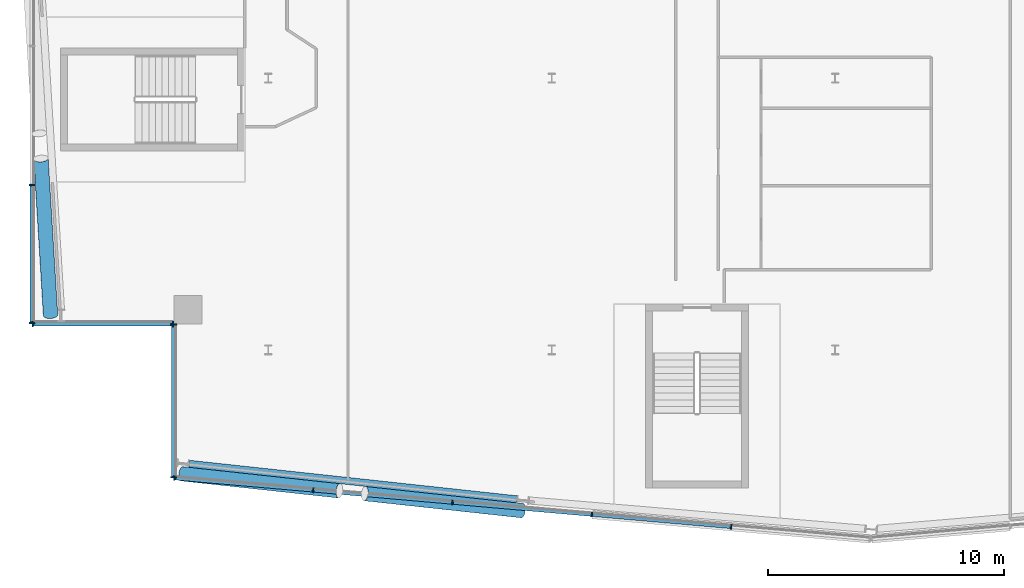
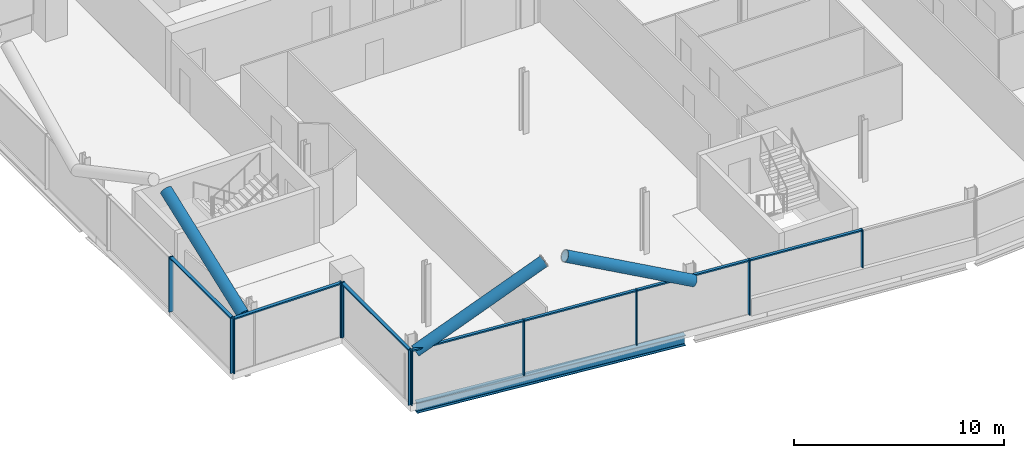
# One storey, part 5 of 25: 21 members, 1 beam, 4 elements without a shape of their own.
"""IFC4 building model written with IfcOpenShell, lengths in metres."""

from ifc_helpers import new_model, si_unit, direction, frame, origin, origin_2d, place, context, subcontext, project, spatial, rectangle, hollow_circle, i_section, extrude, material, material_profile, profile_set, type_object, element, aggregate, save


model = new_model("IFC4")

# Units and contexts
model_context = context("Model", 3, precision=1e-05, world=origin(), true_north=direction((0.0, 1.0)))
body_context = subcontext(model_context, "Body", "Model", "MODEL_VIEW")
ifc_project = project(units=[si_unit("LENGTHUNIT", "METRE"), si_unit("AREAUNIT", "SQUARE_METRE"), si_unit("VOLUMEUNIT", "CUBIC_METRE"), si_unit("PLANEANGLEUNIT", "RADIAN"), si_unit("MASSUNIT", "GRAM", prefix="KILO")], contexts=[model_context])

# Site, building, storey
site_placement = place(None, origin())
site = spatial("IfcSite", under=ifc_project, at=site_placement, CompositionType="ELEMENT")
building_placement = place(site_placement, origin())
building = spatial("IfcBuilding", under=site, at=building_placement, Name="Wharfspan Tower", CompositionType="ELEMENT")
storey_placement = place(building_placement, frame((0.0, 0.0, 239.5)))
storey = spatial("IfcBuildingStorey", under=building, at=storey_placement, Name="L60", CompositionType="ELEMENT", Elevation=239.5)

# Beam
ifc_material_1 = material(Name="Steel S355J2", Category="steel")
ifc_material_profile_1 = material_profile(ifc_material_1, i_section(OverallWidth=0.300049, OverallDepth=0.600098, WebThickness=0.015381, FlangeThickness=0.030029, FilletRadius=0.0271, at=origin_2d()))
ifc_profile_set_1 = profile_set([ifc_material_profile_1], Name="Steel S355J2")
beam_type = type_object("IfcBeamType", Name="Edge beam HEB 600", PredefinedType="SPANDREL", material=ifc_profile_set_1)
beam_placement = place(storey_placement, frame((20.648682, 6.674805, -0.699951), z_axis=(0.99418, -0.107732, 0.0), x_axis=(0.107732, 0.99418, 0.0)))
element("IfcBeam", 1, at=beam_placement, inside=storey, type_object=beam_type, Name="Edge beam S1 L60 PS1.1 to PS1.2", PredefinedType="SPANDREL", context=body_context, shape_type="SweptSolid", body=[
    extrude(i_section(OverallWidth=0.300049, OverallDepth=0.600098, WebThickness=0.015381, FlangeThickness=0.030029, FilletRadius=0.0271, at=origin_2d()), origin(), (0.0, 0.0, 1.0), 13.95752),
])

# Curtain wall, members
ifc_material_2 = material(Name="Aluminium 6063-T6", Category="aluminium")
curtain_wall_type_1 = type_object("IfcCurtainWallType", Name="CURTAIN WALL FACETED FRONT", PredefinedType="NOTDEFINED", material=ifc_material_2)
curtain_wall_1_placement = place(storey_placement, origin())
curtain_wall_1 = element("IfcCurtainWall", 2, at=curtain_wall_1_placement, inside=storey, type_object=curtain_wall_type_1, Name="Curtain wall S1", PredefinedType="NOTDEFINED")
ifc_material_profile_2 = material_profile(ifc_material_2, rectangle(XDim=0.199951, YDim=0.060059, at=origin_2d()))
ifc_profile_set_2 = profile_set([ifc_material_profile_2], Name="Aluminium 6063-T6")
member_type_1 = type_object("IfcMemberType", Name="MULLION FACETED FRONT 60x200", PredefinedType="MULLION", material=ifc_profile_set_2)
member_1_placement = place(storey_placement, frame((20.029785, 6.07251, 0.0), z_axis=(0.0, 0.0, 1.0), x_axis=(0.087156, 0.996197, 0.0)))
member_1 = element("IfcMember", 3, at=member_1_placement, type_object=member_type_1, Name="Curtain wall S1 mullion 1", PredefinedType="MULLION", context=body_context, shape_type="SweptSolid", body=[
    extrude(rectangle(XDim=0.199951, YDim=0.060059, at=origin_2d()), origin(), (0.0, 0.0, 1.0), 3.199951),
])
member_2_placement = place(storey_placement, frame((25.899902, 5.558838, 0.0), z_axis=(0.0, 0.0, 1.0), x_axis=(0.087156, 0.996197, 0.0)))
member_2 = element("IfcMember", 4, at=member_2_placement, type_object=member_type_1, Name="Curtain wall S1 mullion 2", PredefinedType="MULLION", context=body_context, shape_type="SweptSolid", body=[
    extrude(rectangle(XDim=0.199951, YDim=0.060059, at=origin_2d()), origin(), (0.0, 0.0, 1.0), 3.199951),
])
member_3_placement = place(storey_placement, frame((31.800049, 5.042725, 0.0), z_axis=(0.0, 0.0, 1.0), x_axis=(0.087156, 0.996197, 0.0)))
member_3 = element("IfcMember", 5, at=member_3_placement, type_object=member_type_1, Name="Curtain wall S1 mullion 3", PredefinedType="MULLION", context=body_context, shape_type="SweptSolid", body=[
    extrude(rectangle(XDim=0.199951, YDim=0.060059, at=origin_2d()), origin(), (0.0, 0.0, 1.0), 3.199951),
])
member_4_placement = place(storey_placement, frame((37.699951, 4.526611, 0.0), z_axis=(0.0, 0.0, 1.0), x_axis=(0.087156, 0.996197, 0.0)))
member_4 = element("IfcMember", 6, at=member_4_placement, type_object=member_type_1, Name="Curtain wall S1 mullion 4", PredefinedType="MULLION", context=body_context, shape_type="SweptSolid", body=[
    extrude(rectangle(XDim=0.199951, YDim=0.060059, at=origin_2d()), origin(), (0.0, 0.0, 1.0), 3.199951),
])
member_5_placement = place(storey_placement, frame((43.600098, 4.010254, 1.0), z_axis=(0.0, 0.0, 1.0), x_axis=(0.087156, 0.996197, 0.0)))
member_5 = element("IfcMember", 7, at=member_5_placement, type_object=member_type_1, Name="Curtain wall S1 mullion 5", PredefinedType="MULLION", context=body_context, shape_type="SweptSolid", body=[
    extrude(rectangle(XDim=0.199951, YDim=0.060059, at=origin_2d()), origin(), (0.0, 0.0, 1.0), 2.199951),
])

curtain_wall_type_2 = type_object("IfcCurtainWallType", Name="CURTAIN WALL PROW AND END", PredefinedType="NOTDEFINED", material=ifc_material_2)
curtain_wall_2_placement = place(storey_placement, origin())
curtain_wall_2 = element("IfcCurtainWall", 8, at=curtain_wall_2_placement, inside=storey, type_object=curtain_wall_type_2, Name="Curtain wall W", PredefinedType="NOTDEFINED")
ifc_material_profile_3 = material_profile(ifc_material_2, rectangle(XDim=0.23999, YDim=0.060059, at=origin_2d()))
ifc_profile_set_3 = profile_set([ifc_material_profile_3], Name="Aluminium 6063-T6")
member_type_2 = type_object("IfcMemberType", Name="MULLION PROW AND END 60x240", PredefinedType="MULLION", material=ifc_profile_set_3)
member_6_placement = place(storey_placement, frame((14.0, 18.47998, 0.0), z_axis=(0.0, 0.0, 1.0), x_axis=(1.0, 0.0, 0.0)))
member_6 = element("IfcMember", 9, at=member_6_placement, type_object=member_type_2, Name="Curtain wall W mullion 5", PredefinedType="MULLION", context=body_context, shape_type="SweptSolid", body=[
    extrude(rectangle(XDim=0.23999, YDim=0.060059, at=origin_2d()), origin(), (0.0, 0.0, 1.0), 3.199951),
])
member_7_placement = place(storey_placement, frame((14.0, 12.629883, 0.0), z_axis=(0.0, 0.0, 1.0), x_axis=(1.0, 0.0, 0.0)))
member_7 = element("IfcMember", 10, at=member_7_placement, type_object=member_type_2, Name="Curtain wall W mullion 6", PredefinedType="MULLION", context=body_context, shape_type="SweptSolid", body=[
    extrude(rectangle(XDim=0.23999, YDim=0.060059, at=origin_2d()), origin(), (0.0, 0.0, 1.0), 3.199951),
])

curtain_wall_3_placement = place(storey_placement, origin())
curtain_wall_3 = element("IfcCurtainWall", 11, at=curtain_wall_3_placement, inside=storey, type_object=curtain_wall_type_2, Name="Curtain wall NFW-H", PredefinedType="NOTDEFINED")
member_8_placement = place(storey_placement, frame((14.030029, 12.600098, 0.0), z_axis=(0.0, 0.0, 1.0), x_axis=(0.0, 1.0, 0.0)))
member_8 = element("IfcMember", 12, at=member_8_placement, type_object=member_type_2, Name="Curtain wall NFW-H mullion 1", PredefinedType="MULLION", context=body_context, shape_type="SweptSolid", body=[
    extrude(rectangle(XDim=0.23999, YDim=0.060059, at=origin_2d()), origin(), (0.0, 0.0, 1.0), 3.199951),
])
member_9_placement = place(storey_placement, frame((19.969971, 12.600098, 0.0), z_axis=(0.0, 0.0, 1.0), x_axis=(0.0, 1.0, 0.0)))
member_9 = element("IfcMember", 13, at=member_9_placement, type_object=member_type_2, Name="Curtain wall NFW-H mullion 2", PredefinedType="MULLION", context=body_context, shape_type="SweptSolid", body=[
    extrude(rectangle(XDim=0.23999, YDim=0.060059, at=origin_2d()), origin(), (0.0, 0.0, 1.0), 3.199951),
])

curtain_wall_4_placement = place(storey_placement, origin())
curtain_wall_4 = element("IfcCurtainWall", 14, at=curtain_wall_4_placement, inside=storey, type_object=curtain_wall_type_2, Name="Curtain wall NFW-V", PredefinedType="NOTDEFINED")
member_10_placement = place(storey_placement, frame((20.0, 12.570068, 0.0), z_axis=(0.0, 0.0, 1.0), x_axis=(1.0, 0.0, 0.0)))
member_10 = element("IfcMember", 15, at=member_10_placement, type_object=member_type_2, Name="Curtain wall NFW-V mullion 1", PredefinedType="MULLION", context=body_context, shape_type="SweptSolid", body=[
    extrude(rectangle(XDim=0.23999, YDim=0.060059, at=origin_2d()), origin(), (0.0, 0.0, 1.0), 3.199951),
])
member_11_placement = place(storey_placement, frame((20.0, 6.10498, 0.0), z_axis=(0.0, 0.0, 1.0), x_axis=(1.0, 0.0, 0.0)))
member_11 = element("IfcMember", 16, at=member_11_placement, type_object=member_type_2, Name="Curtain wall NFW-V mullion 2", PredefinedType="MULLION", context=body_context, shape_type="SweptSolid", body=[
    extrude(rectangle(XDim=0.23999, YDim=0.060059, at=origin_2d()), origin(), (0.0, 0.0, 1.0), 3.199951),
])

# Members
ifc_material_3 = material(Name="Steel S460NH", Category="steel")
ifc_material_profile_4 = material_profile(ifc_material_3, hollow_circle(Radius=0.304932, WallThickness=0.024902, at=origin_2d()))
ifc_profile_set_4 = profile_set([ifc_material_profile_4], Name="Steel S460NH")
member_type_3 = type_object("IfcMemberType", Name="Mega brace CHS 610x25", PredefinedType="BRACE", material=ifc_profile_set_4)
for number, where, z_axis, x_axis, name in (
    (17, (20.352539, 6.249268, 2.899902), (0.890113, -0.096459, 0.445416), (0.107734, 0.994176, 4e-06), "Mega brace S1 L61 part 1"),
    (18, (34.741699, 4.689941, 2.899902), (-0.890113, 0.096459, 0.445416), (-0.107734, -0.994176, 4e-06), "Mega brace S1 L61 part 3"),
):
    element("IfcMember", number, at=place(storey_placement, frame(where, z_axis=z_axis, x_axis=x_axis)), inside=storey, type_object=member_type_3, Name=name, PredefinedType="BRACE", context=body_context, shape_type="SweptSolid", body=[
        extrude(hollow_circle(Radius=0.304932, WallThickness=0.024902, at=origin_2d()), origin(), (0.0, 0.0, 1.0), 7.474121),
    ])
member_12_placement = place(storey_placement, frame((14.782715, 12.963379, 2.899902), z_axis=(-0.054615, 0.892302, 0.448123), x_axis=(-0.998132, -0.061091, -3e-06)))
element("IfcMember", 19, at=member_12_placement, inside=storey, type_object=member_type_3, Name="Mega brace W4 L61 part 3", PredefinedType="BRACE", context=body_context, shape_type="SweptSolid", body=[
    extrude(hollow_circle(Radius=0.304932, WallThickness=0.024902, at=origin_2d()), origin(), (0.0, 0.0, 1.0), 7.429443),
])

# Member
ifc_material_profile_5 = material_profile(ifc_material_2, rectangle(XDim=0.159912, YDim=0.080078, at=origin_2d()))
ifc_profile_set_5 = profile_set([ifc_material_profile_5], Name="Aluminium 6063-T6")
member_type_4 = type_object("IfcMemberType", Name="TRANSOM FACETED FRONT 80x160", PredefinedType="USERDEFINED", material=ifc_profile_set_5)
member_13_placement = place(storey_placement, frame((20.059814, 6.069824, 3.159912), z_axis=(0.996195, -0.08715, 0.0), x_axis=(0.08715, 0.996195, 0.0)))
member_13 = element("IfcMember", 20, at=member_13_placement, type_object=member_type_4, Name="Curtain wall S1 transom 1", ObjectType="TRANSOM", PredefinedType="USERDEFINED", context=body_context, shape_type="SweptSolid", body=[
    extrude(rectangle(XDim=0.159912, YDim=0.080078, at=origin_2d()), origin(), (0.0, 0.0, 1.0), 5.83252),
])

member_14_placement = place(storey_placement, frame((25.929932, 5.556152, 3.159912), z_axis=(0.996198, -0.087122, 0.0), x_axis=(0.087122, 0.996198, 0.0)))
member_14 = element("IfcMember", 21, at=member_14_placement, type_object=member_type_4, Name="Curtain wall S1 transom 2", ObjectType="TRANSOM", PredefinedType="USERDEFINED", context=body_context, shape_type="SweptSolid", body=[
    extrude(rectangle(XDim=0.159912, YDim=0.080078, at=origin_2d()), origin(), (0.0, 0.0, 1.0), 5.862305),
])

member_15_placement = place(storey_placement, frame((31.829834, 5.040039, 3.159912), z_axis=(0.996194, -0.08716, 0.0), x_axis=(0.08716, 0.996194, 0.0)))
member_15 = element("IfcMember", 22, at=member_15_placement, type_object=member_type_4, Name="Curtain wall S1 transom 3", ObjectType="TRANSOM", PredefinedType="USERDEFINED", context=body_context, shape_type="SweptSolid", body=[
    extrude(rectangle(XDim=0.159912, YDim=0.080078, at=origin_2d()), origin(), (0.0, 0.0, 1.0), 5.862549),
])

member_16_placement = place(storey_placement, frame((37.72998, 4.523926, 3.159912), z_axis=(0.996194, -0.087163, 0.0), x_axis=(0.087163, 0.996194, 0.0)))
member_16 = element("IfcMember", 23, at=member_16_placement, type_object=member_type_4, Name="Curtain wall S1 transom 4", ObjectType="TRANSOM", PredefinedType="USERDEFINED", context=body_context, shape_type="SweptSolid", body=[
    extrude(rectangle(XDim=0.159912, YDim=0.080078, at=origin_2d()), origin(), (0.0, 0.0, 1.0), 5.862305),
])

aggregate(curtain_wall_1, [member_1, member_2, member_3, member_4, member_5, member_13, member_14, member_15, member_16])

ifc_material_profile_6 = material_profile(ifc_material_2, rectangle(XDim=0.179932, YDim=0.080078, at=origin_2d()))
ifc_profile_set_6 = profile_set([ifc_material_profile_6], Name="Aluminium 6063-T6")
member_type_5 = type_object("IfcMemberType", Name="TRANSOM PROW AND END 80x180", PredefinedType="USERDEFINED", material=ifc_profile_set_6)
member_17_placement = place(storey_placement, frame((14.0, 18.449951, 3.159912), z_axis=(0.0, -1.0, 0.0), x_axis=(1.0, 0.0, 0.0)))
member_17 = element("IfcMember", 24, at=member_17_placement, type_object=member_type_5, Name="Curtain wall W transom 5", ObjectType="TRANSOM", PredefinedType="USERDEFINED", context=body_context, shape_type="SweptSolid", body=[
    extrude(rectangle(XDim=0.179932, YDim=0.080078, at=origin_2d()), origin(), (0.0, 0.0, 1.0), 5.790039),
])

aggregate(curtain_wall_2, [member_6, member_7, member_17])

member_18_placement = place(storey_placement, frame((14.060059, 12.600098, 3.159912), z_axis=(1.0, 0.0, 0.0), x_axis=(0.0, 1.0, 0.0)))
member_18 = element("IfcMember", 25, at=member_18_placement, type_object=member_type_5, Name="Curtain wall NFW-H transom 1", ObjectType="TRANSOM", PredefinedType="USERDEFINED", context=body_context, shape_type="SweptSolid", body=[
    extrude(rectangle(XDim=0.179932, YDim=0.080078, at=origin_2d()), origin(), (0.0, 0.0, 1.0), 5.879883),
])

aggregate(curtain_wall_3, [member_8, member_9, member_18])

member_19_placement = place(storey_placement, frame((20.0, 12.540039, 3.159912), z_axis=(0.0, -1.0, 0.0), x_axis=(1.0, 0.0, 0.0)))
member_19 = element("IfcMember", 26, at=member_19_placement, type_object=member_type_5, Name="Curtain wall NFW-V transom 1", ObjectType="TRANSOM", PredefinedType="USERDEFINED", context=body_context, shape_type="SweptSolid", body=[
    extrude(rectangle(XDim=0.179932, YDim=0.080078, at=origin_2d()), origin(), (0.0, 0.0, 1.0), 6.405029),
])

aggregate(curtain_wall_4, [member_10, member_11, member_19])

save(model, "model.ifc")
